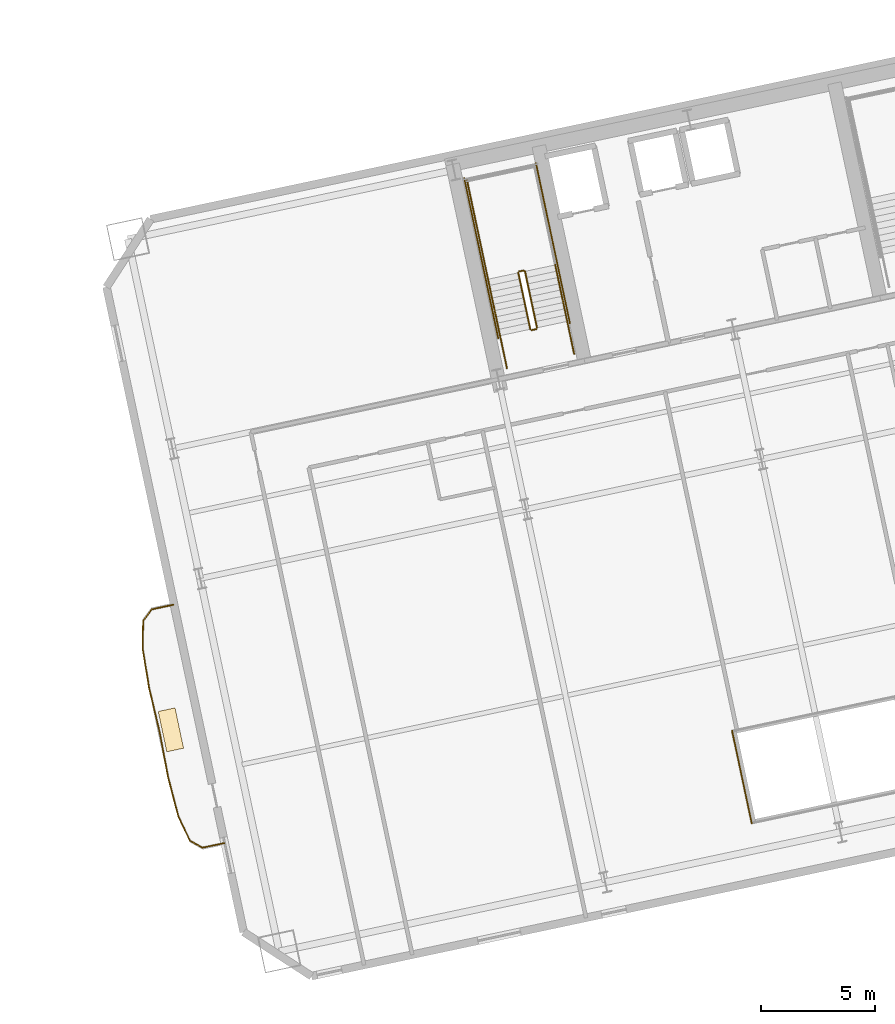
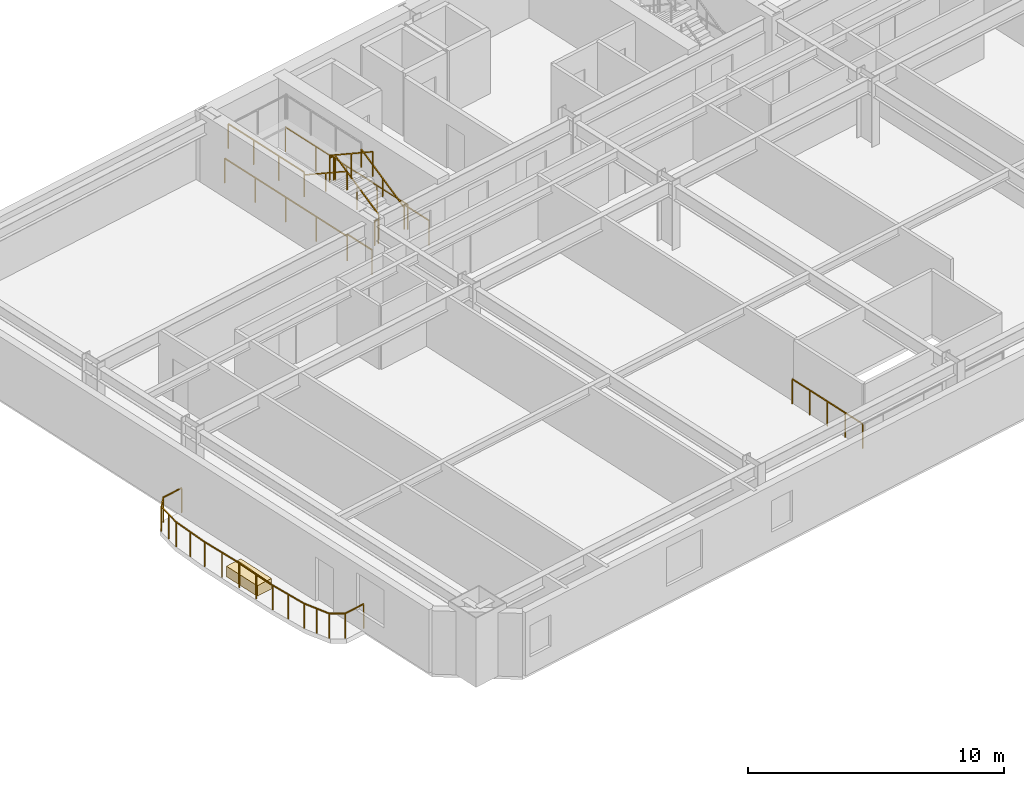
# One storey, part 15 of 17: 22 railings, 1 covering.
"""IFC4 building model written with IfcOpenShell, lengths in metres."""

from ifc_helpers import new_model, si_unit, direction, frame, origin, origin_2d, place, context, subcontext, project, spatial, rectangle, extrude, material, layer, layer_set, type_object, element, save


model = new_model("IFC4")

# Units and contexts
model_context = context("Model", 3, precision=1e-05, world=origin(), true_north=direction((0.0, 1.0)))
body_context = subcontext(model_context, "Body", "Model", "MODEL_VIEW")
ifc_project = project(units=[si_unit("LENGTHUNIT", "METRE"), si_unit("AREAUNIT", "SQUARE_METRE"), si_unit("VOLUMEUNIT", "CUBIC_METRE"), si_unit("PLANEANGLEUNIT", "RADIAN"), si_unit("MASSUNIT", "GRAM", prefix="KILO")], contexts=[model_context])

# Site, building, storey
site_placement = place(None, origin())
site = spatial("IfcSite", under=ifc_project, at=site_placement, CompositionType="ELEMENT")
building_placement = place(site_placement, origin())
building = spatial("IfcBuilding", under=site, at=building_placement, Name="Haevon Station Towers", CompositionType="ELEMENT")
storey_placement = place(building_placement, frame((0.0, 0.0, 37.199951171875)))
storey = spatial("IfcBuildingStorey", under=building, at=storey_placement, Name="L08", CompositionType="ELEMENT", Elevation=37.199951171875)

# Railings
ifc_material_1 = material(Name="Steel S355", Category="steel")
railing_type_1 = type_object("IfcRailingType", Name="BAL-ATR1200", PredefinedType="BALUSTRADE", material=ifc_material_1)
railing_1_placement = place(storey_placement, frame((108.962890625, 22.088134765625, 0.0)))
element("IfcRailing", 1, at=railing_1_placement, inside=storey, type_object=railing_type_1, Name="L08 Atrium Void Balustrade 4", PredefinedType="BALUSTRADE", context=body_context, shape_type="SweptSolid", body=[
    extrude(rectangle(XDim=0.048095703125, YDim=0.048095703125, at=origin_2d()), frame((0.0, 0.0, 1.17578125), z_axis=(0.207928976297, -0.978143926432, 0.0), x_axis=(0.978143926432, 0.207928976297, 0.0)), (0.0, 0.0, 1.0), 4.11669921875),
    extrude(rectangle(XDim=0.0419921875, YDim=0.0419921875, at=origin_2d()), origin(), (0.0, 0.0, 1.0), 1.15185546875),
    extrude(rectangle(XDim=0.0419921875, YDim=0.0419921875, at=origin_2d()), frame((0.2138671875, -1.006591796875, 0.0)), (0.0, 0.0, 1.0), 1.15185546875),
    extrude(rectangle(XDim=0.0419921875, YDim=0.0419921875, at=origin_2d()), frame((0.427978515625, -2.01318359375, 0.0)), (0.0, 0.0, 1.0), 1.15185546875),
    extrude(rectangle(XDim=0.0419921875, YDim=0.0419921875, at=origin_2d()), frame((0.64208984375, -3.02001953125, 0.0)), (0.0, 0.0, 1.0), 1.15185546875),
    extrude(rectangle(XDim=0.0419921875, YDim=0.0419921875, at=origin_2d()), frame((0.85595703125, -4.026611328125, 0.0)), (0.0, 0.0, 1.0), 1.15185546875),
])
railing_type_2 = type_object("IfcRailingType", Name="GRD-EXT1200", PredefinedType="GUARDRAIL", material=ifc_material_1)
railing_2_placement = place(storey_placement, frame((84.5654296875, 27.599853515625, 0.0)))
element("IfcRailing", 2, at=railing_2_placement, inside=storey, type_object=railing_type_2, Name="L08 Perimeter Guardrail 1", PredefinedType="GUARDRAIL", context=body_context, shape_type="SweptSolid", body=[
    extrude(rectangle(XDim=0.048095703125, YDim=0.048095703125, at=origin_2d()), frame((0.0, 0.0, 1.17578125), z_axis=(-0.977706975704, -0.209973973767, 0.0), x_axis=(0.209973973767, -0.977706975704, 0.0)), (0.0, 0.0, 1.0), 0.974365234375),
    extrude(rectangle(XDim=0.0419921875, YDim=0.0419921875, at=origin_2d()), origin(), (0.0, 0.0, 1.0), 1.15185546875),
    extrude(rectangle(XDim=0.0419921875, YDim=0.0419921875, at=origin_2d()), frame((-0.95263671875, -0.20458984375, 0.0)), (0.0, 0.0, 1.0), 1.15185546875),
])
railing_3_placement = place(storey_placement, frame((83.61279296875, 27.395263671875, 0.0)))
element("IfcRailing", 3, at=railing_3_placement, inside=storey, type_object=railing_type_2, Name="L08 Perimeter Guardrail 2", PredefinedType="GUARDRAIL", context=body_context, shape_type="SweptSolid", body=[
    extrude(rectangle(XDim=0.048095703125, YDim=0.048095703125, at=origin_2d()), frame((0.0, 0.0, 1.17578125), z_axis=(-0.597298351772, -0.802019126312, 0.0), x_axis=(0.802019126312, -0.597298351772, 0.0)), (0.0, 0.0, 1.0), 0.62255859375),
    extrude(rectangle(XDim=0.0419921875, YDim=0.0419921875, at=origin_2d()), origin(), (0.0, 0.0, 1.0), 1.15185546875),
    extrude(rectangle(XDim=0.0419921875, YDim=0.0419921875, at=origin_2d()), frame((-0.371826171875, -0.499267578125, 0.0)), (0.0, 0.0, 1.0), 1.15185546875),
])
railing_4_placement = place(storey_placement, frame((83.240966796875, 26.89599609375, 0.0)))
element("IfcRailing", 4, at=railing_4_placement, inside=storey, type_object=railing_type_2, Name="L08 Perimeter Guardrail 3", PredefinedType="GUARDRAIL", context=body_context, shape_type="SweptSolid", body=[
    extrude(rectangle(XDim=0.048095703125, YDim=0.048095703125, at=origin_2d()), frame((0.0, 0.0, 1.17578125), z_axis=(-0.019914748945, -0.999801681722, 0.0), x_axis=(0.999801681722, -0.019914748945, 0.0)), (0.0, 0.0, 1.0), 1.201416015625),
    extrude(rectangle(XDim=0.0419921875, YDim=0.0419921875, at=origin_2d()), origin(), (0.0, 0.0, 1.0), 1.15185546875),
    extrude(rectangle(XDim=0.0419921875, YDim=0.0419921875, at=origin_2d()), frame((-0.011962890625, -0.6005859375, 0.0)), (0.0, 0.0, 1.0), 1.15185546875),
    extrude(rectangle(XDim=0.0419921875, YDim=0.0419921875, at=origin_2d()), frame((-0.02392578125, -1.201171875, 0.0)), (0.0, 0.0, 1.0), 1.15185546875),
])
railing_5_placement = place(storey_placement, frame((83.217041015625, 25.69482421875, 0.0)))
element("IfcRailing", 5, at=railing_5_placement, inside=storey, type_object=railing_type_2, Name="L08 Perimeter Guardrail 4", PredefinedType="GUARDRAIL", context=body_context, shape_type="SweptSolid", body=[
    extrude(rectangle(XDim=0.048095703125, YDim=0.048095703125, at=origin_2d()), frame((0.0, 0.0, 1.17578125), z_axis=(0.162386938524, -0.986727156917, 0.0), x_axis=(0.986727156917, 0.162386938524, 0.0)), (0.0, 0.0, 1.0), 1.75146484375),
    extrude(rectangle(XDim=0.0419921875, YDim=0.0419921875, at=origin_2d()), origin(), (0.0, 0.0, 1.0), 1.15185546875),
    extrude(rectangle(XDim=0.0419921875, YDim=0.0419921875, at=origin_2d()), frame((0.14208984375, -0.8642578125, 0.0)), (0.0, 0.0, 1.0), 1.15185546875),
    extrude(rectangle(XDim=0.0419921875, YDim=0.0419921875, at=origin_2d()), frame((0.284423828125, -1.728271484375, 0.0)), (0.0, 0.0, 1.0), 1.15185546875),
])
railing_6_placement = place(storey_placement, frame((83.50146484375, 23.966552734375, 0.0)))
element("IfcRailing", 6, at=railing_6_placement, inside=storey, type_object=railing_type_2, Name="L08 Perimeter Guardrail 5", PredefinedType="GUARDRAIL", context=body_context, shape_type="SweptSolid", body=[
    extrude(rectangle(XDim=0.048095703125, YDim=0.048095703125, at=origin_2d()), frame((0.0, 0.0, 1.17578125), z_axis=(0.231493371958, -0.972836480987, 0.0), x_axis=(0.972836480987, 0.231493371958, 0.0)), (0.0, 0.0, 1.0), 1.989990234375),
    extrude(rectangle(XDim=0.0419921875, YDim=0.0419921875, at=origin_2d()), origin(), (0.0, 0.0, 1.0), 1.15185546875),
    extrude(rectangle(XDim=0.0419921875, YDim=0.0419921875, at=origin_2d()), frame((0.23046875, -0.968017578125, 0.0)), (0.0, 0.0, 1.0), 1.15185546875),
    extrude(rectangle(XDim=0.0419921875, YDim=0.0419921875, at=origin_2d()), frame((0.460693359375, -1.93603515625, 0.0)), (0.0, 0.0, 1.0), 1.15185546875),
])
railing_7_placement = place(storey_placement, frame((83.962158203125, 22.030517578125, 0.0)))
element("IfcRailing", 7, at=railing_7_placement, inside=storey, type_object=railing_type_2, Name="L08 Perimeter Guardrail 6", PredefinedType="GUARDRAIL", context=body_context, shape_type="SweptSolid", body=[
    extrude(rectangle(XDim=0.048095703125, YDim=0.048095703125, at=origin_2d()), frame((0.0, 0.0, 1.17578125), z_axis=(0.184162599312, -0.982895791534, 0.0), x_axis=(0.982895791534, 0.184162599312, 0.0)), (0.0, 0.0, 1.0), 1.98974609375),
    extrude(rectangle(XDim=0.0419921875, YDim=0.0419921875, at=origin_2d()), origin(), (0.0, 0.0, 1.0), 1.15185546875),
    extrude(rectangle(XDim=0.0419921875, YDim=0.0419921875, at=origin_2d()), frame((0.18310546875, -0.97802734375, 0.0)), (0.0, 0.0, 1.0), 1.15185546875),
    extrude(rectangle(XDim=0.0419921875, YDim=0.0419921875, at=origin_2d()), frame((0.366455078125, -1.955810546875, 0.0)), (0.0, 0.0, 1.0), 1.15185546875),
])
railing_8_placement = place(storey_placement, frame((84.32861328125, 20.07470703125, 0.0)))
element("IfcRailing", 8, at=railing_8_placement, inside=storey, type_object=railing_type_2, Name="L08 Perimeter Guardrail 7", PredefinedType="GUARDRAIL", context=body_context, shape_type="SweptSolid", body=[
    extrude(rectangle(XDim=0.048095703125, YDim=0.048095703125, at=origin_2d()), frame((0.0, 0.0, 1.17578125), z_axis=(0.252983588082, -0.967470570178, 0.0), x_axis=(0.967470570178, 0.252983588082, 0.0)), (0.0, 0.0, 1.0), 1.75146484375),
    extrude(rectangle(XDim=0.0419921875, YDim=0.0419921875, at=origin_2d()), origin(), (0.0, 0.0, 1.0), 1.15185546875),
    extrude(rectangle(XDim=0.0419921875, YDim=0.0419921875, at=origin_2d()), frame((0.2216796875, -0.84716796875, 0.0)), (0.0, 0.0, 1.0), 1.15185546875),
    extrude(rectangle(XDim=0.0419921875, YDim=0.0419921875, at=origin_2d()), frame((0.443115234375, -1.694580078125, 0.0)), (0.0, 0.0, 1.0), 1.15185546875),
])
railing_9_placement = place(storey_placement, frame((84.771728515625, 18.380126953125, 0.0)))
element("IfcRailing", 9, at=railing_9_placement, inside=storey, type_object=railing_type_2, Name="L08 Perimeter Guardrail 8", PredefinedType="GUARDRAIL", context=body_context, shape_type="SweptSolid", body=[
    extrude(rectangle(XDim=0.048095703125, YDim=0.048095703125, at=origin_2d()), frame((0.0, 0.0, 1.17578125), z_axis=(0.424886747768, -0.905246514255, 0.0), x_axis=(0.905246514255, 0.424886747768, 0.0)), (0.0, 0.0, 1.0), 1.201416015625),
    extrude(rectangle(XDim=0.0419921875, YDim=0.0419921875, at=origin_2d()), origin(), (0.0, 0.0, 1.0), 1.15185546875),
    extrude(rectangle(XDim=0.0419921875, YDim=0.0419921875, at=origin_2d()), frame((0.25537109375, -0.5439453125, 0.0)), (0.0, 0.0, 1.0), 1.15185546875),
    extrude(rectangle(XDim=0.0419921875, YDim=0.0419921875, at=origin_2d()), frame((0.510498046875, -1.087646484375, 0.0)), (0.0, 0.0, 1.0), 1.15185546875),
])
railing_10_placement = place(storey_placement, frame((85.2822265625, 17.29248046875, 0.0)))
element("IfcRailing", 10, at=railing_10_placement, inside=storey, type_object=railing_type_2, Name="L08 Perimeter Guardrail 9", PredefinedType="GUARDRAIL", context=body_context, shape_type="SweptSolid", body=[
    extrude(rectangle(XDim=0.048095703125, YDim=0.048095703125, at=origin_2d()), frame((0.0, 0.0, 1.17578125), z_axis=(0.871816325909, -0.489832924454, 0.0), x_axis=(0.489832924454, 0.871816325909, 0.0)), (0.0, 0.0, 1.0), 0.62255859375),
    extrude(rectangle(XDim=0.0419921875, YDim=0.0419921875, at=origin_2d()), origin(), (0.0, 0.0, 1.0), 1.15185546875),
    extrude(rectangle(XDim=0.0419921875, YDim=0.0419921875, at=origin_2d()), frame((0.542724609375, -0.304931640625, 0.0)), (0.0, 0.0, 1.0), 1.15185546875),
])
railing_11_placement = place(storey_placement, frame((85.824951171875, 16.987548828125, 0.0)))
element("IfcRailing", 11, at=railing_11_placement, inside=storey, type_object=railing_type_2, Name="L08 Perimeter Guardrail 10", PredefinedType="GUARDRAIL", context=body_context, shape_type="SweptSolid", body=[
    extrude(rectangle(XDim=0.048095703125, YDim=0.048095703125, at=origin_2d()), frame((0.0, 0.0, 1.17578125), z_axis=(0.978565730841, 0.205934723695, 0.0), x_axis=(-0.205934723695, 0.978565730841, 0.0)), (0.0, 0.0, 1.0), 0.974609375),
    extrude(rectangle(XDim=0.0419921875, YDim=0.0419921875, at=origin_2d()), origin(), (0.0, 0.0, 1.0), 1.15185546875),
    extrude(rectangle(XDim=0.0419921875, YDim=0.0419921875, at=origin_2d()), frame((0.95361328125, 0.20068359375, 0.0)), (0.0, 0.0, 1.0), 1.15185546875),
])
railing_type_3 = type_object("IfcRailingType", Name="GRD-STR1200", PredefinedType="GUARDRAIL", material=ifc_material_1)
railing_12_placement = place(storey_placement, frame((100.44140625, 39.69287109375, 0.1650390625)))
element("IfcRailing", 12, at=railing_12_placement, inside=storey, type_object=railing_type_3, Name="L08 ST3 Stair Guard 1", PredefinedType="GUARDRAIL", context=body_context, shape_type="SweptSolid", body=[
    extrude(rectangle(XDim=0.048095703125, YDim=0.048095703125, at=origin_2d()), frame((0.0, 0.0, 1.17578125), z_axis=(-0.179121265225, 0.842687928106, 0.507732831485), x_axis=(-0.978147030254, -0.207914374695, 0.0)), (0.0, 0.0, 1.0), 2.925048828125),
    extrude(rectangle(XDim=0.0419921875, YDim=0.0419921875, at=origin_2d()), origin(), (0.0, 0.0, 1.0), 1.15185546875),
    extrude(rectangle(XDim=0.0419921875, YDim=0.0419921875, at=origin_2d()), frame((-0.261962890625, 1.232421875, 0.74267578125)), (0.0, 0.0, 1.0), 1.15185546875),
    extrude(rectangle(XDim=0.0419921875, YDim=0.0419921875, at=origin_2d()), frame((-0.52392578125, 2.46484375, 1.485107421875)), (0.0, 0.0, 1.0), 1.15185546875),
])
railing_13_placement = place(storey_placement, frame((99.858154296875, 42.1962890625, 1.650146484375)))
element("IfcRailing", 13, at=railing_13_placement, inside=storey, type_object=railing_type_3, Name="L08 ST3 Stair Guard 2", PredefinedType="GUARDRAIL", context=body_context, shape_type="SweptSolid", body=[
    extrude(rectangle(XDim=0.048095703125, YDim=0.048095703125, at=origin_2d()), frame((0.0, 0.0, 1.17578125), z_axis=(-0.977962931203, -0.208778603291, 0.0), x_axis=(0.208778603291, -0.977962931203, 0.0)), (0.0, 0.0, 1.0), 0.199951171875),
    extrude(rectangle(XDim=0.0419921875, YDim=0.0419921875, at=origin_2d()), origin(), (0.0, 0.0, 1.0), 1.15185546875),
    extrude(rectangle(XDim=0.0419921875, YDim=0.0419921875, at=origin_2d()), frame((-0.195556640625, -0.041748046875, 0.0)), (0.0, 0.0, 1.0), 1.15185546875),
])
railing_14_placement = place(storey_placement, frame((98.303466796875, 41.814697265625, 1.650146484375)))
element("IfcRailing", 14, at=railing_14_placement, inside=storey, type_object=railing_type_3, Name="L08 ST3 Stair Guard 4", PredefinedType="GUARDRAIL", context=body_context, shape_type="SweptSolid", body=[
    extrude(rectangle(XDim=0.048095703125, YDim=0.048095703125, at=origin_2d()), frame((0.0, 0.0, 1.17578125), z_axis=(-0.207876551949, 0.978155069071, 0.0), x_axis=(-0.978155069071, -0.207876551949, 0.0)), (0.0, 0.0, 1.0), 4.429931640625),
    extrude(rectangle(XDim=0.0419921875, YDim=0.0419921875, at=origin_2d()), origin(), (0.0, 0.0, 1.0), 1.15185546875),
    extrude(rectangle(XDim=0.0419921875, YDim=0.0419921875, at=origin_2d()), frame((-0.306884765625, 1.4443359375, 0.0)), (0.0, 0.0, 1.0), 1.15185546875),
    extrude(rectangle(XDim=0.0419921875, YDim=0.0419921875, at=origin_2d()), frame((-0.614013671875, 2.888916015625, 0.0)), (0.0, 0.0, 1.0), 1.15185546875),
    extrude(rectangle(XDim=0.0419921875, YDim=0.0419921875, at=origin_2d()), frame((-0.9208984375, 4.333251953125, 0.0)), (0.0, 0.0, 1.0), 1.15185546875),
])
railing_15_placement = place(storey_placement, frame((99.6240234375, 42.09521484375, 1.81494140625)))
element("IfcRailing", 15, at=railing_15_placement, inside=storey, type_object=railing_type_3, Name="L08 ST3 Stair Guard 6", PredefinedType="GUARDRAIL", context=body_context, shape_type="SweptSolid", body=[
    extrude(rectangle(XDim=0.048095703125, YDim=0.048095703125, at=origin_2d()), frame((0.0, 0.0, 1.17578125), z_axis=(0.179121265225, -0.842687928106, 0.507732831485), x_axis=(0.978147030254, 0.207914374695, 0.0)), (0.0, 0.0, 1.0), 2.925048828125),
    extrude(rectangle(XDim=0.0419921875, YDim=0.0419921875, at=origin_2d()), origin(), (0.0, 0.0, 1.0), 1.15185546875),
    extrude(rectangle(XDim=0.0419921875, YDim=0.0419921875, at=origin_2d()), frame((0.261962890625, -1.232421875, 0.74267578125)), (0.0, 0.0, 1.0), 1.15185546875),
    extrude(rectangle(XDim=0.0419921875, YDim=0.0419921875, at=origin_2d()), frame((0.52392578125, -2.46484375, 1.485107421875)), (0.0, 0.0, 1.0), 1.15185546875),
])
railing_16_placement = place(storey_placement, frame((100.40283203125, 39.633544921875, 0.0)))
element("IfcRailing", 16, at=railing_16_placement, inside=storey, type_object=railing_type_3, Name="L08 ST3 Stair Guard 7", PredefinedType="GUARDRAIL", context=body_context, shape_type="SweptSolid", body=[
    extrude(rectangle(XDim=0.048095703125, YDim=0.048095703125, at=origin_2d()), frame((0.0, 0.0, 1.17578125), z_axis=(-0.977962931203, -0.208778603291, 0.0), x_axis=(0.208778603291, -0.977962931203, 0.0)), (0.0, 0.0, 1.0), 0.199951171875),
    extrude(rectangle(XDim=0.0419921875, YDim=0.0419921875, at=origin_2d()), origin(), (0.0, 0.0, 1.0), 1.15185546875),
    extrude(rectangle(XDim=0.0419921875, YDim=0.0419921875, at=origin_2d()), frame((-0.195556640625, -0.041748046875, 0.0)), (0.0, 0.0, 1.0), 1.15185546875),
])
for number, where, name in (
    (17, (102.0634765625, 38.55517578125, 0.0), "L08 ST3 Stair Guard 8"),
    (18, (99.12890625, 37.931396484375, 0.0), "L08 ST3 Stair Guard 9"),
):
    element("IfcRailing", number, at=place(storey_placement, frame(where)), inside=storey, type_object=railing_type_3, Name=name, PredefinedType="GUARDRAIL", context=body_context, shape_type="SweptSolid", body=[
        extrude(rectangle(XDim=0.048095703125, YDim=0.048095703125, at=origin_2d()), frame((0.0, 0.0, 1.17578125), z_axis=(-0.207953405961, 0.978138732977, 0.0), x_axis=(-0.978138732977, -0.207953405961, 0.0)), (0.0, 0.0, 1.0), 1.449951171875),
        extrude(rectangle(XDim=0.0419921875, YDim=0.0419921875, at=origin_2d()), origin(), (0.0, 0.0, 1.0), 1.15185546875),
        extrude(rectangle(XDim=0.0419921875, YDim=0.0419921875, at=origin_2d()), frame((-0.301513671875, 1.418212890625, 0.0)), (0.0, 0.0, 1.0), 1.15185546875),
    ])
railing_17_placement = place(storey_placement, frame((101.88037109375, 39.896484375, 0.0)))
element("IfcRailing", 19, at=railing_17_placement, inside=storey, type_object=railing_type_3, Name="L08 ST3 Stair Guard 10", PredefinedType="GUARDRAIL", context=body_context, shape_type="SweptSolid", body=[
    extrude(rectangle(XDim=0.048095703125, YDim=0.048095703125, at=origin_2d()), frame((0.0, 0.0, 1.17578125), z_axis=(-0.207882442208, 0.978153817261, 0.0), x_axis=(-0.978153817261, -0.207882442208, 0.0)), (0.0, 0.0, 1.0), 7.14990234375),
    extrude(rectangle(XDim=0.0419921875, YDim=0.0419921875, at=origin_2d()), origin(), (0.0, 0.0, 1.0), 1.15185546875),
    extrude(rectangle(XDim=0.0419921875, YDim=0.0419921875, at=origin_2d()), frame((-0.37158203125, 1.74853515625, 0.0)), (0.0, 0.0, 1.0), 1.15185546875),
    extrude(rectangle(XDim=0.0419921875, YDim=0.0419921875, at=origin_2d()), frame((-0.7431640625, 3.496826171875, 0.0)), (0.0, 0.0, 1.0), 1.15185546875),
    extrude(rectangle(XDim=0.0419921875, YDim=0.0419921875, at=origin_2d()), frame((-1.11474609375, 5.2451171875, 0.0)), (0.0, 0.0, 1.0), 1.15185546875),
    extrude(rectangle(XDim=0.0419921875, YDim=0.0419921875, at=origin_2d()), frame((-1.486328125, 6.99365234375, 0.0)), (0.0, 0.0, 1.0), 1.15185546875),
])
railing_18_placement = place(storey_placement, frame((98.75048828125, 39.231201171875, 0.0)))
element("IfcRailing", 20, at=railing_18_placement, inside=storey, type_object=railing_type_3, Name="L08 ST3 Stair Guard 11", PredefinedType="GUARDRAIL", context=body_context, shape_type="SweptSolid", body=[
    extrude(rectangle(XDim=0.048095703125, YDim=0.048095703125, at=origin_2d()), frame((0.0, 0.0, 1.17578125), z_axis=(-0.207915112487, 0.978146873429, 0.0), x_axis=(-0.978146873429, -0.207915112487, 0.0)), (0.0, 0.0, 1.0), 7.14990234375),
    extrude(rectangle(XDim=0.0419921875, YDim=0.0419921875, at=origin_2d()), origin(), (0.0, 0.0, 1.0), 1.15185546875),
    extrude(rectangle(XDim=0.0419921875, YDim=0.0419921875, at=origin_2d()), frame((-0.37158203125, 1.74853515625, 0.0)), (0.0, 0.0, 1.0), 1.15185546875),
    extrude(rectangle(XDim=0.0419921875, YDim=0.0419921875, at=origin_2d()), frame((-0.7431640625, 3.496826171875, 0.0)), (0.0, 0.0, 1.0), 1.15185546875),
    extrude(rectangle(XDim=0.0419921875, YDim=0.0419921875, at=origin_2d()), frame((-1.114990234375, 5.2451171875, 0.0)), (0.0, 0.0, 1.0), 1.15185546875),
    extrude(rectangle(XDim=0.0419921875, YDim=0.0419921875, at=origin_2d()), frame((-1.486572265625, 6.99365234375, 0.0)), (0.0, 0.0, 1.0), 1.15185546875),
])
railing_type_4 = type_object("IfcRailingType", Name="HND-STR900", PredefinedType="HANDRAIL", material=ifc_material_1)
railing_19_placement = place(storey_placement, frame((101.761962890625, 39.973388671875, 0.1650390625)))
element("IfcRailing", 21, at=railing_19_placement, inside=storey, type_object=railing_type_4, Name="L08 ST3 Stair Handrail 1", PredefinedType="HANDRAIL", context=body_context, shape_type="SweptSolid", body=[
    extrude(rectangle(XDim=0.048095703125, YDim=0.048095703125, at=origin_2d()), frame((0.0, 0.0, 0.8759765625), z_axis=(-0.179108667068, 0.842712120868, 0.50769712105), x_axis=(-0.978151217824, -0.207894673017, 0.0)), (0.0, 0.0, 1.0), 2.92529296875),
    extrude(rectangle(XDim=0.0419921875, YDim=0.0419921875, at=origin_2d()), origin(), (0.0, 0.0, 1.0), 0.851806640625),
    extrude(rectangle(XDim=0.0419921875, YDim=0.0419921875, at=origin_2d()), frame((-0.261962890625, 1.232421875, 0.74267578125)), (0.0, 0.0, 1.0), 0.851806640625),
    extrude(rectangle(XDim=0.0419921875, YDim=0.0419921875, at=origin_2d()), frame((-0.52392578125, 2.465087890625, 1.485107421875)), (0.0, 0.0, 1.0), 0.851806640625),
])
railing_20_placement = place(storey_placement, frame((98.303466796875, 41.814697265625, 1.81494140625)))
element("IfcRailing", 22, at=railing_20_placement, inside=storey, type_object=railing_type_4, Name="L08 ST3 Stair Handrail 2", PredefinedType="HANDRAIL", context=body_context, shape_type="SweptSolid", body=[
    extrude(rectangle(XDim=0.048095703125, YDim=0.048095703125, at=origin_2d()), frame((0.0, 0.0, 0.8759765625), z_axis=(0.179108667068, -0.842712120868, 0.50769712105), x_axis=(0.978151217824, 0.207894673017, 0.0)), (0.0, 0.0, 1.0), 2.92529296875),
    extrude(rectangle(XDim=0.0419921875, YDim=0.0419921875, at=origin_2d()), origin(), (0.0, 0.0, 1.0), 0.851806640625),
    extrude(rectangle(XDim=0.0419921875, YDim=0.0419921875, at=origin_2d()), frame((0.261962890625, -1.232421875, 0.74267578125)), (0.0, 0.0, 1.0), 0.851806640625),
    extrude(rectangle(XDim=0.0419921875, YDim=0.0419921875, at=origin_2d()), frame((0.52392578125, -2.465087890625, 1.485107421875)), (0.0, 0.0, 1.0), 0.851806640625),
])

# Covering
ifc_material_2 = material(Name="Architectural planter GRC", Category="concrete")
ifc_layer = layer(ifc_material_2, 0.550048828125)
ifc_layer_set = layer_set([ifc_layer], Name="Architectural planter GRC")
covering_type = type_object("IfcCoveringType", Name="PLN-GRC550", PredefinedType="MOLDING", material=ifc_layer_set)
covering_placement = place(storey_placement, frame((84.453125, 22.135009765625, 0.0), z_axis=(0.0, 0.0, 1.0), x_axis=(0.978147600734, 0.207911690818, 0.0)))
element("IfcCovering", 23, at=covering_placement, inside=storey, type_object=covering_type, Name="Tower 2 L08 Scalloped Balcony PLANTER", PredefinedType="MOLDING", context=body_context, shape_type="SweptSolid", body=[
    extrude(rectangle(XDim=0.75, YDim=1.800048828125, at=origin_2d()), origin(), (0.0, 0.0, 1.0), 0.5),
])

save(model, "model.ifc")
